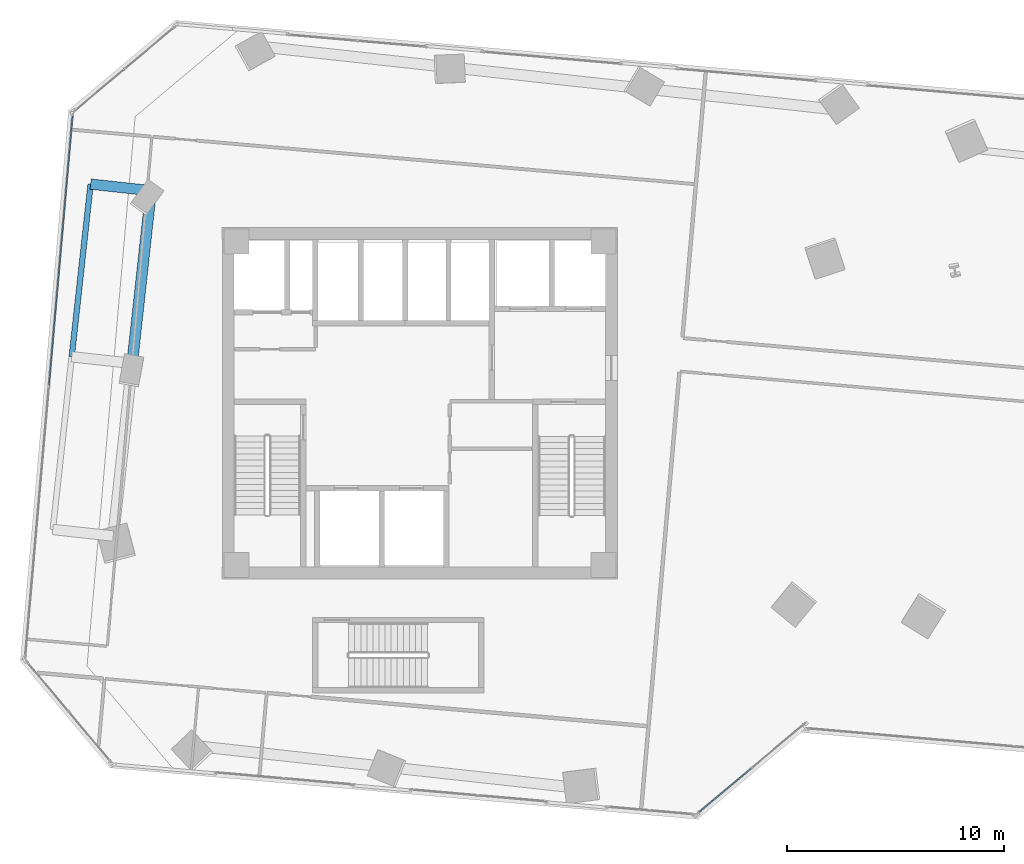
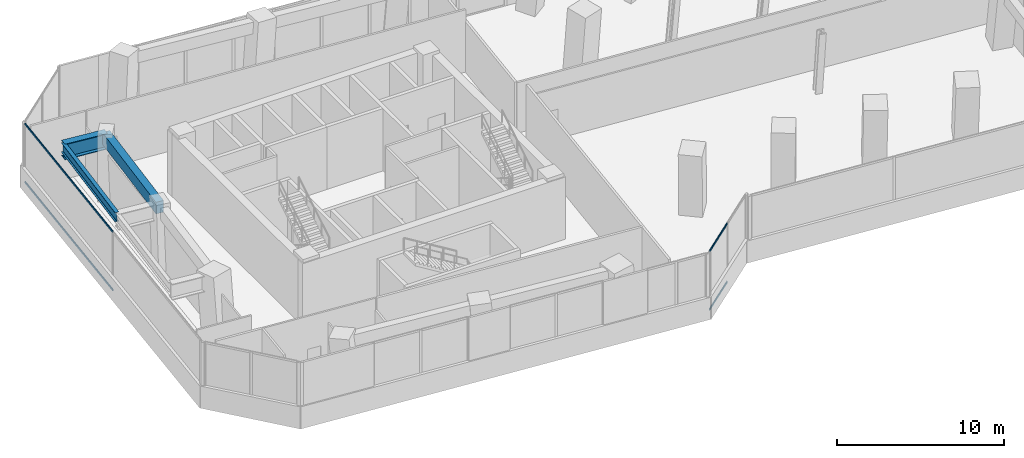
# One storey, part 7 of 24: 4 members, 3 beams, 2 elements without a shape of their own.
"""IFC4 building model written with IfcOpenShell, lengths in metres."""

from ifc_helpers import new_model, si_unit, direction, frame, origin, origin_2d, place, context, subcontext, project, spatial, rectangle, hollow_rectangle, i_section, extrude, source, transform, mapped, material, material_profile, profile_set, type_object, element, aggregate, save


model = new_model("IFC4")

# Units and contexts
model_context = context("Model", 3, precision=1e-05, world=origin(), true_north=direction((0.0, 1.0)))
body_context = subcontext(model_context, "Body", "Model", "MODEL_VIEW")
ifc_project = project(units=[si_unit("LENGTHUNIT", "METRE"), si_unit("AREAUNIT", "SQUARE_METRE"), si_unit("VOLUMEUNIT", "CUBIC_METRE"), si_unit("PLANEANGLEUNIT", "RADIAN"), si_unit("MASSUNIT", "GRAM", prefix="KILO")], contexts=[model_context])

# Site, building, storey
site_placement = place(None, origin())
site = spatial("IfcSite", under=ifc_project, at=site_placement, CompositionType="ELEMENT")
building_placement = place(site_placement, origin())
building = spatial("IfcBuilding", under=site, at=building_placement, Name="Torre Montelarca", CompositionType="ELEMENT")
storey_placement = place(building_placement, frame((0.0, 0.0, 52.0)))
storey = spatial("IfcBuildingStorey", under=building, at=storey_placement, Name="L11", CompositionType="ELEMENT", Elevation=52.0)

# Beams
ifc_material_1 = material(Name="Concrete C55/67", Category="concrete")
ifc_material_profile_1 = material_profile(ifc_material_1, rectangle(XDim=0.5, YDim=0.85009765625, at=origin_2d()), Name="RCB500X850", Category="concrete")
ifc_profile_set_1 = profile_set([ifc_material_profile_1], Name="Concrete C55/67")
beam_type_1 = type_object("IfcBeamType", Name="BM-SP-RC850-EXT", PredefinedType="SPANDREL", material=ifc_profile_set_1)
shared_shape_1 = source(origin(), body_context, "Body", "SweptSolid", [
    extrude(rectangle(XDim=0.5, YDim=0.85009765625, at=origin_2d()), origin(), (0.0, 0.0, 1.0), 8.0),
])
beam_1_placement = place(storey_placement, frame((4.750244140625, 33.83447265625, 4.135009765625), z_axis=(0.10885711391, 0.994057407171, 0.0), x_axis=(-0.994057407171, 0.10885711391, 0.0)))
element("IfcBeam", 1, at=beam_1_placement, inside=storey, type_object=beam_type_1, Name="L11 Grid Girder Y 32.0-40.0 at X=4.7", PredefinedType="SPANDREL", context=body_context, shape_type="MappedRepresentation", body=[
    mapped(shared_shape_1, transform((0.0, 0.0, 0.0), scale=1.0)),
])
ifc_material_2 = material(Name="Steel ASTM A572 Grade 50", Category="steel")
ifc_material_profile_2 = material_profile(ifc_material_2, i_section(OverallWidth=0.47998046875, OverallDepth=1.14990234375, WebThickness=0.02197265625, FlangeThickness=0.044921875, at=origin_2d()), Name="PG1150X480X22X45", Category="steel")
ifc_profile_set_2 = profile_set([ifc_material_profile_2], Name="Steel ASTM A572 Grade 50")
beam_type_2 = type_object("IfcBeamType", Name="BM-CG-PG1400-EXT", PredefinedType="USERDEFINED", material=ifc_profile_set_2)
shared_shape_2 = source(origin(), body_context, "Body", "SweptSolid", [
    extrude(i_section(OverallWidth=0.47998046875, OverallDepth=1.14990234375, WebThickness=0.02197265625, FlangeThickness=0.044921875, at=origin_2d()), origin(), (0.0, 0.0, 1.0), 2.800048828125),
])
beam_2_placement = place(storey_placement, frame((5.62109375, 41.786865234375, 3.985107421875), z_axis=(-0.994052682006, 0.108900254348, 0.0), x_axis=(-0.108900254348, -0.994052682006, 0.0)))
element("IfcBeam", 2, at=beam_2_placement, inside=storey, type_object=beam_type_2, Name="L11 Sliding Tray Cantilever Girder West Y=40.0m (FLR)", ObjectType="CANTILEVER GIRDER", PredefinedType="USERDEFINED", context=body_context, shape_type="MappedRepresentation", body=[
    mapped(shared_shape_2, transform((0.0, 0.0, 0.0), scale=1.0)),
])
ifc_material_3 = material(Name="Steel ASTM A992 Grade 50", Category="steel")
ifc_material_profile_3 = material_profile(ifc_material_3, i_section(OverallWidth=0.256103515625, OverallDepth=0.693115234375, WebThickness=0.014404296875, FlangeThickness=0.023681640625, FilletRadius=0.01806640625, at=origin_2d()), Name="W690X170", Category="steel")
ifc_profile_set_3 = profile_set([ifc_material_profile_3], Name="Steel ASTM A992 Grade 50")
beam_type_3 = type_object("IfcBeamType", Name="BM-G-W690-EXT", PredefinedType="BEAM", material=ifc_profile_set_3)
shared_shape_3 = source(origin(), body_context, "Body", "SweptSolid", [
    extrude(i_section(OverallWidth=0.256103515625, OverallDepth=0.693115234375, WebThickness=0.014404296875, FlangeThickness=0.023681640625, FilletRadius=0.01806640625, at=origin_2d()), origin(), (0.0, 0.0, 1.0), 8.000244140625),
])
beam_3_placement = place(storey_placement, frame((1.966796875, 34.13916015625, 4.212890625), z_axis=(0.108853811668, 0.994057768787, 0.0), x_axis=(-0.994057768787, 0.108853811668, 0.0)))
element("IfcBeam", 3, at=beam_3_placement, inside=storey, type_object=beam_type_3, Name="L11 Sliding Tray Edge Girder West 32.0-40.0m (FLR)", PredefinedType="BEAM", context=body_context, shape_type="MappedRepresentation", body=[
    mapped(shared_shape_3, transform((0.0, 0.0, 0.0), scale=1.0)),
])

# Curtain wall, members
ifc_material_4 = material(Name="Insulated low-E laminated glass", Category="glass")
curtain_wall_type = type_object("IfcCurtainWallType", Name="CW-SYS-Z1", PredefinedType="USERDEFINED", material=ifc_material_4)
curtain_wall_1_placement = place(storey_placement, origin())
curtain_wall_1 = element("IfcCurtainWall", 4, at=curtain_wall_1_placement, inside=storey, type_object=curtain_wall_type, Name="L11 Curtain Wall Run CW-T3-L11-E02-B1", ObjectType="UNITISED GLAZING", PredefinedType="USERDEFINED")
ifc_material_5 = material(Name="Anodised aluminium AA 6063-T6", Category="aluminium")
ifc_material_profile_4 = material_profile(ifc_material_5, hollow_rectangle(XDim=0.06494140625, YDim=0.139892578125, WallThickness=0.00390625, InnerFilletRadius=0.00390625, OuterFilletRadius=0.008056640625, at=origin_2d()), Name="ALU65X140X4", Category="aluminium")
ifc_profile_set_4 = profile_set([ifc_material_profile_4], Name="Anodised aluminium AA 6063-T6")
member_type = type_object("IfcMemberType", Name="CWT-ALU140", PredefinedType="USERDEFINED", material=ifc_profile_set_4)
shared_shape_4 = source(origin(), body_context, "Body", "SweptSolid", [
    extrude(hollow_rectangle(XDim=0.06494140625, YDim=0.139892578125, WallThickness=0.00390625, InnerFilletRadius=0.00390625, OuterFilletRadius=0.008056640625, at=origin_2d()), origin(), (0.0, 0.0, 1.0), 3.102783203125),
])
member_1_placement = place(storey_placement, frame((30.865478515625, 13.167236328125, 0.032470703125), z_axis=(0.766062807851, 0.642765722816, 0.0), x_axis=(-0.642765722816, 0.766062807851, 0.0)))
member_1 = element("IfcMember", 5, at=member_1_placement, type_object=member_type, Name="CW transom 1.1", ObjectType="TRANSOM", PredefinedType="USERDEFINED", context=body_context, shape_type="MappedRepresentation", body=[
    mapped(shared_shape_4, transform((0.0, 0.0, 0.0), scale=1.0)),
])
member_2_placement = place(storey_placement, frame((30.865478515625, 13.167236328125, 4.28759765625), z_axis=(0.766062807851, 0.642765722816, 0.0), x_axis=(-0.642765722816, 0.766062807851, 0.0)))
member_2 = element("IfcMember", 6, at=member_2_placement, type_object=member_type, Name="CW transom 1.2", ObjectType="TRANSOM", PredefinedType="USERDEFINED", context=body_context, shape_type="MappedRepresentation", body=[
    mapped(shared_shape_4, transform((0.0, 0.0, 0.0), scale=1.0)),
])
aggregate(curtain_wall_1, [member_1, member_2])

curtain_wall_2_placement = place(storey_placement, origin())
curtain_wall_2 = element("IfcCurtainWall", 7, at=curtain_wall_2_placement, inside=storey, type_object=curtain_wall_type, Name="L11 Curtain Wall Run CW-T3-L11-E10-B1", ObjectType="UNITISED GLAZING", PredefinedType="USERDEFINED")
shared_shape_5 = source(origin(), body_context, "Body", "SweptSolid", [
    extrude(hollow_rectangle(XDim=0.06494140625, YDim=0.139892578125, WallThickness=0.00390625, InnerFilletRadius=0.00390625, OuterFilletRadius=0.008056640625, at=origin_2d()), origin(), (0.0, 0.0, 1.0), 12.436767578125),
])
member_3_placement = place(storey_placement, frame((2.0078125, 45.21826171875, 0.032470703125), z_axis=(-0.087159888253, -0.996194335398, 0.0), x_axis=(0.996194335398, -0.087159888253, 0.0)))
member_3 = element("IfcMember", 8, at=member_3_placement, type_object=member_type, Name="CW transom 1.1", ObjectType="TRANSOM", PredefinedType="USERDEFINED", context=body_context, shape_type="MappedRepresentation", body=[
    mapped(shared_shape_5, transform((0.0, 0.0, 0.0), scale=1.0)),
])
member_4_placement = place(storey_placement, frame((2.0078125, 45.21826171875, 4.28759765625), z_axis=(-0.087159888253, -0.996194335398, 0.0), x_axis=(0.996194335398, -0.087159888253, 0.0)))
member_4 = element("IfcMember", 9, at=member_4_placement, type_object=member_type, Name="CW transom 1.2", ObjectType="TRANSOM", PredefinedType="USERDEFINED", context=body_context, shape_type="MappedRepresentation", body=[
    mapped(shared_shape_5, transform((0.0, 0.0, 0.0), scale=1.0)),
])
aggregate(curtain_wall_2, [member_3, member_4])

save(model, "model.ifc")
